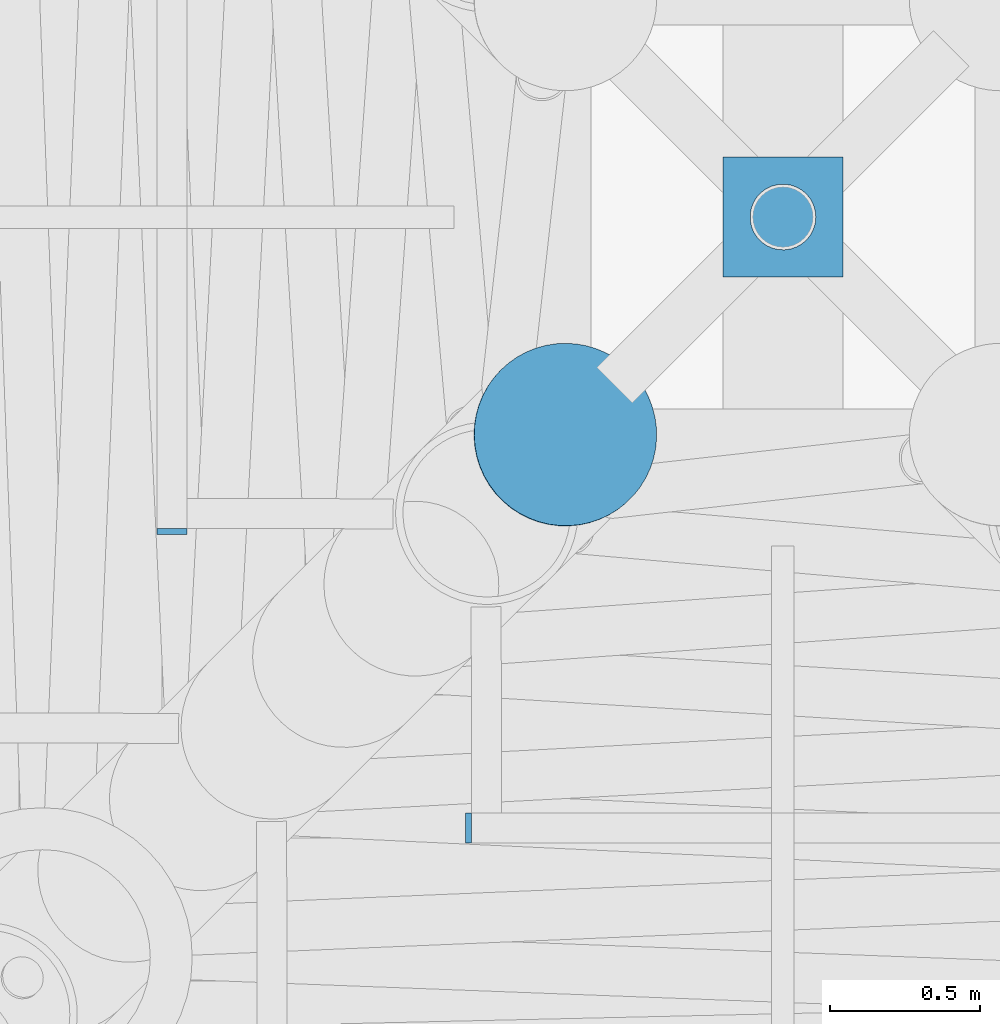
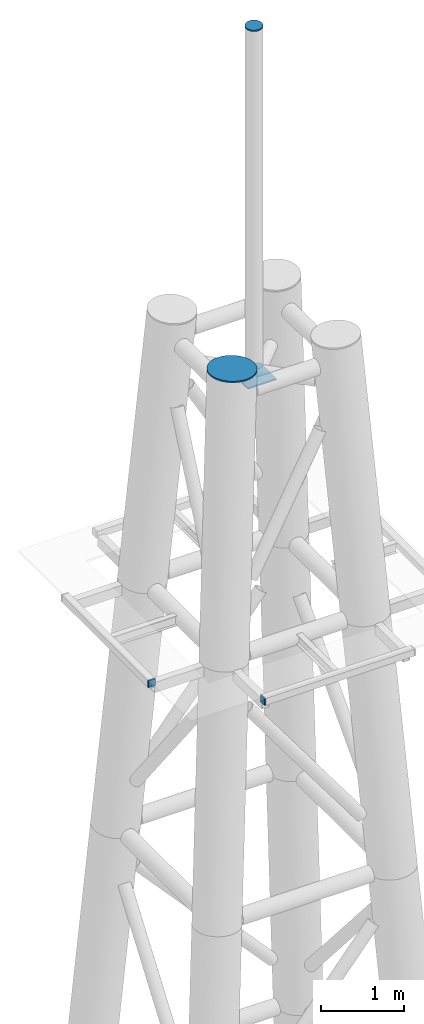
# One storey, part 26 of 36: 5 discrete accessories.
"""IFC4 building model written with IfcOpenShell, lengths in metres."""

from ifc_helpers import new_model, si_unit, direction, frame, origin, origin_2d, place, context, subcontext, project, spatial, rectangle, circle, extrude, material, material_profile, profile_set, type_object, element, save


model = new_model("IFC4")

# Units and contexts
model_context = context("Model", 3, precision=1e-05, world=origin(), true_north=direction((0.0, 1.0)))
body_context = subcontext(model_context, "Body", "Model", "MODEL_VIEW")
ifc_project = project(units=[si_unit("LENGTHUNIT", "METRE"), si_unit("AREAUNIT", "SQUARE_METRE"), si_unit("VOLUMEUNIT", "CUBIC_METRE"), si_unit("PLANEANGLEUNIT", "RADIAN"), si_unit("MASSUNIT", "GRAM", prefix="KILO")], contexts=[model_context])

# Site, building, storey
site_placement = place(None, origin())
site = spatial("IfcSite", under=ifc_project, at=site_placement, CompositionType="ELEMENT")
building_placement = place(site_placement, origin())
building = spatial("IfcBuilding", under=site, at=building_placement, Name="Ipe Terrace Towers", CompositionType="ELEMENT")
storey_placement = place(building_placement, frame((0.0, 0.0, 264.89990234375)))
storey = spatial("IfcBuildingStorey", under=building, at=storey_placement, Name="Roof", CompositionType="ELEMENT", Elevation=264.89990234375)

# Discrete accessories
ifc_material_1 = material(Name="Steel S355", Category="steel")
discrete_accessory_type_1 = type_object("IfcDiscreteAccessoryType", Name="MAST BRACE NODE PLATE 400 x 20", PredefinedType="BRACKET", material=ifc_material_1)
discrete_accessory_1_placement = place(storey_placement, frame((36.0, 0.0, 35.55615234375), z_axis=(0.0, 0.0, 1.0), x_axis=(1.0, 0.0, 0.0)))
element("IfcDiscreteAccessory", 1, at=discrete_accessory_1_placement, inside=storey, type_object=discrete_accessory_type_1, Name="mast brace node plate", PredefinedType="BRACKET", context=body_context, shape_type="SweptSolid", body=[
    extrude(rectangle(XDim=0.39990234375, YDim=0.39990234375, at=origin_2d()), origin(), (0.0, 0.0, 1.0), 0.02001953125),
])
ifc_material_2 = material(Name="Steel S355", Category="steel")
ifc_material_profile_1 = material_profile(ifc_material_2, rectangle(XDim=0.10009765625, YDim=0.10009765625, at=origin_2d()), Name="MAST END PLATE 100 x 100 x 20")
ifc_profile_set_1 = profile_set([ifc_material_profile_1], Name="Steel S355")
discrete_accessory_type_2 = type_object("IfcDiscreteAccessoryType", Name="MAST END PLATE 100 x 100 x 20", PredefinedType="BRACKET", material=ifc_profile_set_1)
for number, where, z_axis, x_axis, name in (
    (2, (33.9609375, -1.0390625, 32.3720703125), (0.0, -1.0, 0.0), (1.0, 0.0, 0.0), "mast end plate"),
    (3, (34.9609375, -2.0390625, 32.3720703125), (-1.0, 0.0, 0.0), (0.0, -1.0, 0.0), "mast end plate"),
):
    element("IfcDiscreteAccessory", number, at=place(storey_placement, frame(where, z_axis=z_axis, x_axis=x_axis)), inside=storey, type_object=discrete_accessory_type_2, Name=name, PredefinedType="BRACKET", context=body_context, shape_type="SweptSolid", body=[
        extrude(rectangle(XDim=0.10009765625, YDim=0.10009765625, at=origin_2d()), origin(), (0.0, 0.0, 1.0), 0.02001953125),
    ])
ifc_material_3 = material(Name="Steel S355", Category="steel")
ifc_material_profile_2 = material_profile(ifc_material_3, circle(Radius=0.109619140625, at=origin_2d()), Name="MAST END PLATE 219 DIA x 20")
ifc_profile_set_2 = profile_set([ifc_material_profile_2], Name="Steel S355")
discrete_accessory_type_3 = type_object("IfcDiscreteAccessoryType", Name="MAST END PLATE 219 DIA x 20", PredefinedType="BRACKET", material=ifc_profile_set_2)
discrete_accessory_2_placement = place(storey_placement, frame((36.0, 0.0, 40.734130859375), z_axis=(0.0, 0.0, 1.0), x_axis=(1.0, 0.0, 0.0)))
element("IfcDiscreteAccessory", 4, at=discrete_accessory_2_placement, inside=storey, type_object=discrete_accessory_type_3, Name="mast end plate", PredefinedType="BRACKET", context=body_context, shape_type="SweptSolid", body=[
    extrude(circle(Radius=0.109619140625, at=origin_2d()), origin(), (0.0, 0.0, 1.0), 0.02001953125),
])
ifc_material_4 = material(Name="Steel S355", Category="steel")
ifc_material_profile_3 = material_profile(ifc_material_4, circle(Radius=0.304931640625, at=origin_2d()), Name="MAST END PLATE 610 DIA x 20")
ifc_profile_set_3 = profile_set([ifc_material_profile_3], Name="Steel S355")
discrete_accessory_type_4 = type_object("IfcDiscreteAccessoryType", Name="MAST END PLATE 610 DIA x 20", PredefinedType="BRACKET", material=ifc_profile_set_3)
discrete_accessory_3_placement = place(storey_placement, frame((35.27294921875, -0.72705078125, 36.35009765625), z_axis=(0.048664825549, 0.048664825549, 0.997628923753), x_axis=(-0.707106781187, 0.707106781187, 0.0)))
element("IfcDiscreteAccessory", 5, at=discrete_accessory_3_placement, inside=storey, type_object=discrete_accessory_type_4, Name="mast end plate", PredefinedType="BRACKET", context=body_context, shape_type="SweptSolid", body=[
    extrude(circle(Radius=0.304931640625, at=origin_2d()), origin(), (0.0, 0.0, 1.0), 0.02001953125),
])

save(model, "model.ifc")
